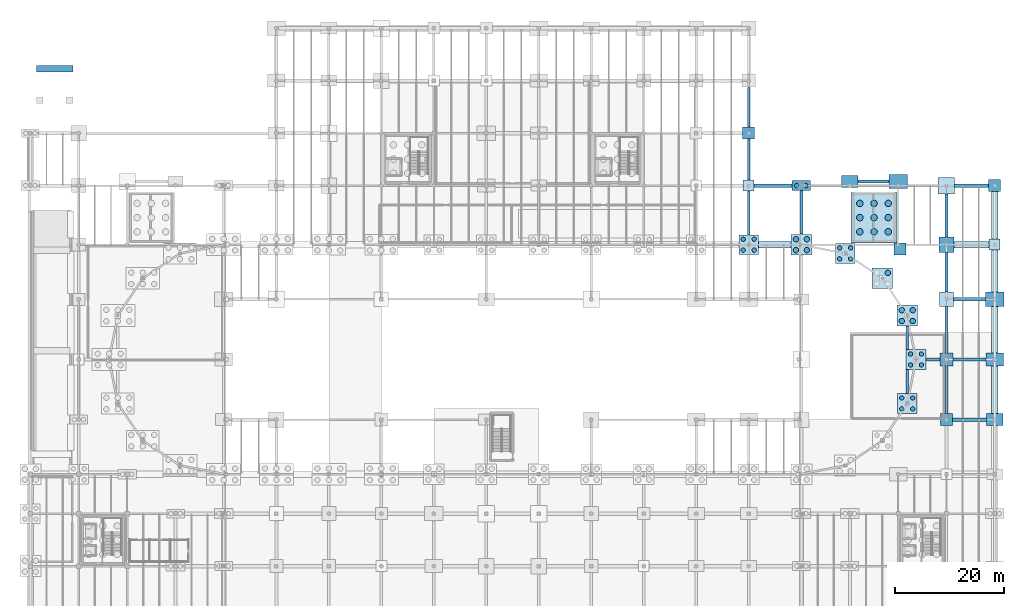
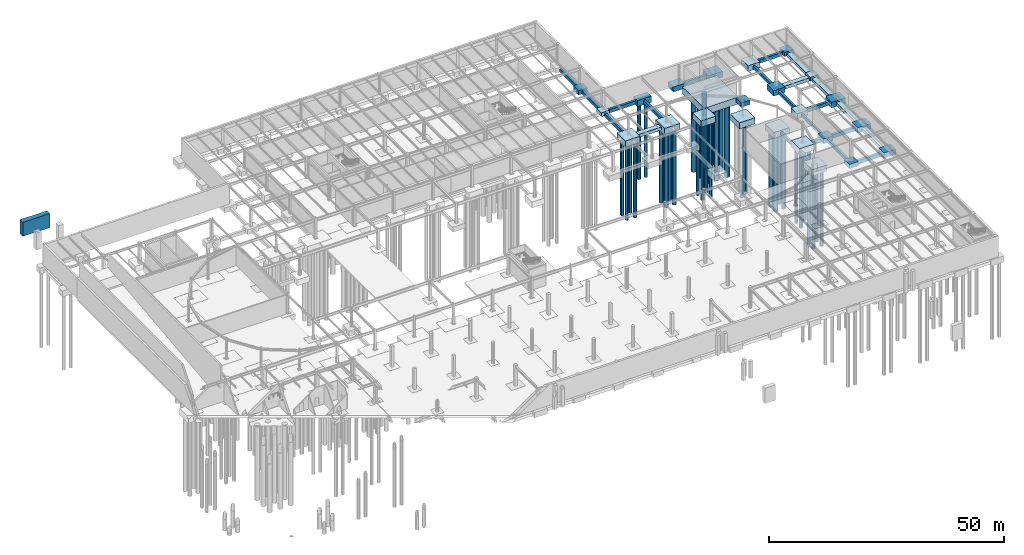
# One storey, part 9 of 50: 48 footings, 36 piles.
"""IFC4 building model written with IfcOpenShell, lengths in metres."""

from ifc_helpers import new_model, si_unit, direction, frame, origin, origin_2d, place, context, subcontext, project, spatial, polyline, rectangle, circle, outline, extrude, material, material_profile, profile_set, type_object, element, save


model = new_model("IFC4")

# Units and contexts
model_context = context("Model", 3, precision=1e-05, world=origin(), true_north=direction((0.0, 1.0)))
body_context = subcontext(model_context, "Body", "Model", "MODEL_VIEW")
ifc_project = project(units=[si_unit("LENGTHUNIT", "METRE"), si_unit("AREAUNIT", "SQUARE_METRE"), si_unit("VOLUMEUNIT", "CUBIC_METRE"), si_unit("PLANEANGLEUNIT", "RADIAN"), si_unit("MASSUNIT", "GRAM", prefix="KILO")], contexts=[model_context])

# Site, building, storey
site_placement = place(None, origin())
site = spatial("IfcSite", under=ifc_project, at=site_placement, CompositionType="ELEMENT")
building_placement = place(site_placement, origin())
building = spatial("IfcBuilding", under=site, at=building_placement, Name="Yeouljin Market Hall", CompositionType="ELEMENT")
storey_placement = place(building_placement, frame((0.0, 0.0, -5.39990234375)))
storey = spatial("IfcBuildingStorey", under=building, at=storey_placement, Name="B1", CompositionType="ELEMENT", Elevation=-5.39990234375)

# Footings
ifc_material_1 = material(Name="Concrete C35/45", Category="concrete")
ifc_material_profile_1 = material_profile(ifc_material_1, rectangle(XDim=0.5, YDim=0.800048828125, at=origin_2d()), Name="RC-500x800")
ifc_profile_set_1 = profile_set([ifc_material_profile_1], Name="Concrete C35/45")
footing_type_1 = type_object("IfcFootingType", Name="FootingBeam_500x800", PredefinedType="FOOTING_BEAM", material=ifc_profile_set_1)
footing_1_placement = place(storey_placement, frame((131.39990234375, 79.81005859375, -0.800048828125), z_axis=(0.0, 1.0, 0.0), x_axis=(-1.0, 0.0, 0.0)))
element("IfcFooting", 1, at=footing_1_placement, inside=storey, type_object=footing_type_1, Name="Foundation tie beam Y-239", PredefinedType="FOOTING_BEAM", context=body_context, shape_type="SweptSolid", body=[
    extrude(rectangle(XDim=0.5, YDim=0.800048828125, at=origin_2d()), origin(), (0.0, 0.0, 1.0), 7.97998046875),
])
footing_2_placement = place(storey_placement, frame((131.39990234375, 89.81005859375, -0.800048828125), z_axis=(0.0, 1.0, 0.0), x_axis=(-1.0, 0.0, 0.0)))
element("IfcFooting", 2, at=footing_2_placement, inside=storey, type_object=footing_type_1, Name="Foundation tie beam Y-240", PredefinedType="FOOTING_BEAM", context=body_context, shape_type="SweptSolid", body=[
    extrude(rectangle(XDim=0.5, YDim=0.800048828125, at=origin_2d()), origin(), (0.0, 0.0, 1.0), 7.47998046875),
])
footing_3_placement = place(storey_placement, frame((131.39990234375, 99.510009765625, -0.800048828125), z_axis=(0.0, 1.0, 0.0), x_axis=(-1.0, 0.0, 0.0)))
element("IfcFooting", 3, at=footing_3_placement, inside=storey, type_object=footing_type_1, Name="Foundation tie beam Y-241", PredefinedType="FOOTING_BEAM", context=body_context, shape_type="SweptSolid", body=[
    extrude(rectangle(XDim=0.5, YDim=0.800048828125, at=origin_2d()), origin(), (0.0, 0.0, 1.0), 7.280029296875),
])
footing_4_placement = place(storey_placement, frame((141.0400390625, 79.909912109375, -0.800048828125), z_axis=(0.0, 1.0, 0.0), x_axis=(-1.0, 0.0, 0.0)))
element("IfcFooting", 4, at=footing_4_placement, inside=storey, type_object=footing_type_1, Name="Foundation tie beam Y-251", PredefinedType="FOOTING_BEAM", context=body_context, shape_type="SweptSolid", body=[
    extrude(rectangle(XDim=0.5, YDim=0.800048828125, at=origin_2d()), origin(), (0.0, 0.0, 1.0), 7.97998046875),
])
footing_5_placement = place(storey_placement, frame((160.40087890625, 50.77392578125, -0.800048828125), z_axis=(0.0, 1.0, 0.0), x_axis=(-1.0, 0.0, 0.0)))
element("IfcFooting", 5, at=footing_5_placement, inside=storey, type_object=footing_type_1, Name="Foundation tie beam Y-256", PredefinedType="FOOTING_BEAM", context=body_context, shape_type="SweptSolid", body=[
    extrude(rectangle(XDim=0.5, YDim=0.800048828125, at=origin_2d()), origin(), (0.0, 0.0, 1.0), 4.416015625),
])
footing_6_placement = place(storey_placement, frame((160.40087890625, 58.81005859375, -0.800048828125), z_axis=(0.0, 1.0, 0.0), x_axis=(-1.0, 0.0, 0.0)))
element("IfcFooting", 6, at=footing_6_placement, inside=storey, type_object=footing_type_1, Name="Foundation tie beam Y-257", PredefinedType="FOOTING_BEAM", context=body_context, shape_type="SweptSolid", body=[
    extrude(rectangle(XDim=0.5, YDim=0.800048828125, at=origin_2d()), origin(), (0.0, 0.0, 1.0), 4.31591796875),
])
footing_7_placement = place(storey_placement, frame((167.570068359375, 47.110107421875, -0.800048828125), z_axis=(0.0, 1.0, 0.0), x_axis=(-1.0, 0.0, 0.0)))
element("IfcFooting", 7, at=footing_7_placement, inside=storey, type_object=footing_type_1, Name="Foundation tie beam Y-260", PredefinedType="FOOTING_BEAM", context=body_context, shape_type="SweptSolid", body=[
    extrude(rectangle(XDim=0.5, YDim=0.800048828125, at=origin_2d()), origin(), (0.0, 0.0, 1.0), 8.679931640625),
])
footing_8_placement = place(storey_placement, frame((167.570068359375, 58.2099609375, -0.800048828125), z_axis=(0.0, 1.0, 0.0), x_axis=(-1.0, 0.0, 0.0)))
element("IfcFooting", 8, at=footing_8_placement, inside=storey, type_object=footing_type_1, Name="Foundation tie beam Y-261", PredefinedType="FOOTING_BEAM", context=body_context, shape_type="SweptSolid", body=[
    extrude(rectangle(XDim=0.5, YDim=0.800048828125, at=origin_2d()), origin(), (0.0, 0.0, 1.0), 8.47998046875),
])
footing_9_placement = place(storey_placement, frame((167.570068359375, 69.31005859375, -0.800048828125), z_axis=(0.0, 1.0, 0.0), x_axis=(-1.0, 0.0, 0.0)))
element("IfcFooting", 9, at=footing_9_placement, inside=storey, type_object=footing_type_1, Name="Foundation tie beam Y-262", PredefinedType="FOOTING_BEAM", context=body_context, shape_type="SweptSolid", body=[
    extrude(rectangle(XDim=0.5, YDim=0.800048828125, at=origin_2d()), origin(), (0.0, 0.0, 1.0), 7.280029296875),
])
footing_10_placement = place(storey_placement, frame((167.570068359375, 79.409912109375, -0.800048828125), z_axis=(0.0, 1.0, 0.0), x_axis=(-1.0, 0.0, 0.0)))
element("IfcFooting", 10, at=footing_10_placement, inside=storey, type_object=footing_type_1, Name="Foundation tie beam Y-263", PredefinedType="FOOTING_BEAM", context=body_context, shape_type="SweptSolid", body=[
    extrude(rectangle(XDim=0.5, YDim=0.800048828125, at=origin_2d()), origin(), (0.0, 0.0, 1.0), 7.880126953125),
])
ifc_material_2 = material(Name="Concrete C35/45", Category="concrete")
ifc_material_profile_2 = material_profile(ifc_material_2, rectangle(XDim=0.60009765625, YDim=0.89990234375, at=origin_2d()), Name="RC-600x900")
ifc_profile_set_2 = profile_set([ifc_material_profile_2], Name="Concrete C35/45")
footing_type_2 = type_object("IfcFootingType", Name="FootingBeam_600x900", PredefinedType="FOOTING_BEAM", material=ifc_profile_set_2)
footing_11_placement = place(storey_placement, frame((168.679931640625, 46.0, -0.85009765625), z_axis=(1.0, 0.0, 0.0), x_axis=(0.0, 1.0, 0.0)))
element("IfcFooting", 11, at=footing_11_placement, inside=storey, type_object=footing_type_2, Name="Foundation tie beam X-085", PredefinedType="FOOTING_BEAM", context=body_context, shape_type="SweptSolid", body=[
    extrude(rectangle(XDim=0.60009765625, YDim=0.89990234375, at=origin_2d()), origin(), (0.0, 0.0, 1.0), 6.2099609375),
])
footing_12_placement = place(storey_placement, frame((163.81005859375, 57.0, -0.85009765625), z_axis=(1.0, 0.0, 0.0), x_axis=(0.0, 1.0, 0.0)))
element("IfcFooting", 12, at=footing_12_placement, inside=storey, type_object=footing_type_2, Name="Foundation tie beam X-087", PredefinedType="FOOTING_BEAM", context=body_context, shape_type="SweptSolid", body=[
    extrude(rectangle(XDim=0.60009765625, YDim=0.89990234375, at=origin_2d()), origin(), (0.0, 0.0, 1.0), 2.550048828125),
])
footing_13_placement = place(storey_placement, frame((168.780029296875, 57.0, -0.85009765625), z_axis=(1.0, 0.0, 0.0), x_axis=(0.0, 1.0, 0.0)))
element("IfcFooting", 13, at=footing_13_placement, inside=storey, type_object=footing_type_2, Name="Foundation tie beam X-088", PredefinedType="FOOTING_BEAM", context=body_context, shape_type="SweptSolid", body=[
    extrude(rectangle(XDim=0.60009765625, YDim=0.89990234375, at=origin_2d()), origin(), (0.0, 0.0, 1.0), 6.010009765625),
])
footing_14_placement = place(storey_placement, frame((168.8798828125, 68.0, -0.85009765625), z_axis=(1.0, 0.0, 0.0), x_axis=(0.0, 1.0, 0.0)))
element("IfcFooting", 14, at=footing_14_placement, inside=storey, type_object=footing_type_2, Name="Foundation tie beam X-092", PredefinedType="FOOTING_BEAM", context=body_context, shape_type="SweptSolid", body=[
    extrude(rectangle(XDim=0.60009765625, YDim=0.89990234375, at=origin_2d()), origin(), (0.0, 0.0, 1.0), 5.81005859375),
])
footing_15_placement = place(storey_placement, frame((132.409912109375, 88.800048828125, -0.85009765625), z_axis=(1.0, 0.0, 0.0), x_axis=(0.0, 1.0, 0.0)))
element("IfcFooting", 15, at=footing_15_placement, inside=storey, type_object=footing_type_2, Name="Foundation tie beam X-110", PredefinedType="FOOTING_BEAM", context=body_context, shape_type="SweptSolid", body=[
    extrude(rectangle(XDim=0.60009765625, YDim=0.89990234375, at=origin_2d()), origin(), (0.0, 0.0, 1.0), 6.920166015625),
])
footing_16_placement = place(storey_placement, frame((169.080078125, 88.800048828125, -0.85009765625), z_axis=(1.0, 0.0, 0.0), x_axis=(0.0, 1.0, 0.0)))
element("IfcFooting", 16, at=footing_16_placement, inside=storey, type_object=footing_type_2, Name="Foundation tie beam X-111", PredefinedType="FOOTING_BEAM", context=body_context, shape_type="SweptSolid", body=[
    extrude(rectangle(XDim=0.60009765625, YDim=0.89990234375, at=origin_2d()), origin(), (0.0, 0.0, 1.0), 6.2099609375),
])
footing_17_placement = place(storey_placement, frame((151.419921875, 89.550048828125, -0.85009765625), z_axis=(1.0, 0.0, 0.0), x_axis=(0.0, 1.0, 0.0)))
element("IfcFooting", 17, at=footing_17_placement, inside=storey, type_object=footing_type_2, Name="Foundation tie beam X-113", PredefinedType="FOOTING_BEAM", context=body_context, shape_type="SweptSolid", body=[
    extrude(rectangle(XDim=0.60009765625, YDim=0.89990234375, at=origin_2d()), origin(), (0.0, 0.0, 1.0), 5.610107421875),
])
ifc_material_3 = material(Name="Concrete C35/45", Category="concrete")
footing_type_3 = type_object("IfcFootingType", Name="PadFooting_2000x2000x1000", PredefinedType="PAD_FOOTING", material=ifc_material_3)
footing_18_placement = place(storey_placement, frame((0.0, 0.0, -1.0)))
element("IfcFooting", 18, at=footing_18_placement, inside=storey, type_object=footing_type_3, Name="Pile cap FPAD-091", PredefinedType="PAD_FOOTING", context=body_context, shape_type="SweptSolid", body=[
    extrude(outline(polyline([(130.39990234375, 87.800048828125), (132.39990234375, 87.800048828125), (132.39990234375, 89.800048828125), (130.39990234375, 89.800048828125), (130.39990234375, 87.800048828125)])), origin(), (0.0, 0.0, 1.0), 1.0),
])
footing_19_placement = place(storey_placement, frame((0.0, 0.0, -1.0)))
element("IfcFooting", 19, at=footing_19_placement, inside=storey, type_object=footing_type_3, Name="Pile cap FPAD-111", PredefinedType="PAD_FOOTING", context=body_context, shape_type="SweptSolid", body=[
    extrude(outline(polyline([(175.39990234375, 77.0), (177.39990234375, 77.0), (177.39990234375, 79.0), (175.39990234375, 79.0), (175.39990234375, 77.0)])), origin(), (0.0, 0.0, 1.0), 1.0),
])
ifc_material_4 = material(Name="Concrete C35/45", Category="concrete")
footing_type_4 = type_object("IfcFootingType", Name="PadFooting_2200x2200x1100", PredefinedType="PAD_FOOTING", material=ifc_material_4)
footing_20_placement = place(storey_placement, frame((0.0, 0.0, -1.10009765625)))
element("IfcFooting", 20, at=footing_20_placement, inside=storey, type_object=footing_type_4, Name="Pile cap FPAD-092", PredefinedType="PAD_FOOTING", context=body_context, shape_type="SweptSolid", body=[
    extrude(outline(polyline([(130.300048828125, 97.300048828125), (132.5, 97.300048828125), (132.5, 99.5), (130.300048828125, 99.5), (130.300048828125, 97.300048828125)])), origin(), (0.0, 0.0, 1.0), 1.10009765625),
])
footing_21_placement = place(storey_placement, frame((0.0, 0.0, -1.10009765625)))
element("IfcFooting", 21, at=footing_21_placement, inside=storey, type_object=footing_type_4, Name="Pile cap FPAD-102", PredefinedType="PAD_FOOTING", context=body_context, shape_type="SweptSolid", body=[
    extrude(outline(polyline([(166.469970703125, 44.89990234375), (168.669921875, 44.89990234375), (168.669921875, 47.10009765625), (166.469970703125, 47.10009765625), (166.469970703125, 44.89990234375)])), origin(), (0.0, 0.0, 1.0), 1.10009765625),
])
footing_22_placement = place(storey_placement, frame((0.0, 0.0, -1.10009765625)))
element("IfcFooting", 22, at=footing_22_placement, inside=storey, type_object=footing_type_4, Name="Pile cap FPAD-112", PredefinedType="PAD_FOOTING", context=body_context, shape_type="SweptSolid", body=[
    extrude(outline(polyline([(175.300048828125, 87.699951171875), (177.5, 87.699951171875), (177.5, 89.89990234375), (175.300048828125, 89.89990234375), (175.300048828125, 87.699951171875)])), origin(), (0.0, 0.0, 1.0), 1.10009765625),
])
footing_23_placement = place(storey_placement, frame((0.0, 0.0, -1.10009765625)))
element("IfcFooting", 23, at=footing_23_placement, inside=storey, type_object=footing_type_4, Name="Pile cap FPAD-C4-ADJ", PredefinedType="PAD_FOOTING", context=body_context, shape_type="SweptSolid", body=[
    extrude(outline(polyline([(157.949951171875, 76.10009765625), (160.14990234375, 76.10009765625), (160.14990234375, 78.300048828125), (157.949951171875, 78.300048828125), (157.949951171875, 76.10009765625)])), origin(), (0.0, 0.0, 1.0), 1.10009765625),
])
ifc_material_5 = material(Name="Concrete C35/45", Category="concrete")
footing_type_5 = type_object("IfcFootingType", Name="PadFooting_2400x2400x1200", PredefinedType="PAD_FOOTING", material=ifc_material_5)
footing_24_placement = place(storey_placement, frame((0.0, 0.0, -1.2001953125)))
element("IfcFooting", 24, at=footing_24_placement, inside=storey, type_object=footing_type_5, Name="Pile cap FPAD-103", PredefinedType="PAD_FOOTING", context=body_context, shape_type="SweptSolid", body=[
    extrude(outline(polyline([(166.3701171875, 55.800048828125), (168.77001953125, 55.800048828125), (168.77001953125, 58.199951171875), (166.3701171875, 58.199951171875), (166.3701171875, 55.800048828125)])), origin(), (0.0, 0.0, 1.0), 1.2001953125),
])
ifc_material_6 = material(Name="Concrete C35/45", Category="concrete")
footing_type_6 = type_object("IfcFootingType", Name="PadFooting_2600x2600x1300", PredefinedType="PAD_FOOTING", material=ifc_material_6)
footing_25_placement = place(storey_placement, frame((0.0, 0.0, -1.300048828125)))
element("IfcFooting", 25, at=footing_25_placement, inside=storey, type_object=footing_type_6, Name="Pile cap FPAD-104", PredefinedType="PAD_FOOTING", context=body_context, shape_type="SweptSolid", body=[
    extrude(outline(polyline([(166.27001953125, 66.699951171875), (168.8701171875, 66.699951171875), (168.8701171875, 69.300048828125), (166.27001953125, 69.300048828125), (166.27001953125, 66.699951171875)])), origin(), (0.0, 0.0, 1.0), 1.300048828125),
])
ifc_material_7 = material(Name="Concrete C35/45", Category="concrete")
footing_type_7 = type_object("IfcFootingType", Name="PadFooting_2800x2800x1400", PredefinedType="PAD_FOOTING", material=ifc_material_7)
footing_26_placement = place(storey_placement, frame((0.0, 0.0, -1.400146484375)))
element("IfcFooting", 26, at=footing_26_placement, inside=storey, type_object=footing_type_7, Name="Pile cap FPAD-105", PredefinedType="PAD_FOOTING", context=body_context, shape_type="SweptSolid", body=[
    extrude(outline(polyline([(166.169921875, 76.60009765625), (168.969970703125, 76.60009765625), (168.969970703125, 79.39990234375), (166.169921875, 79.39990234375), (166.169921875, 76.60009765625)])), origin(), (0.0, 0.0, 1.0), 1.400146484375),
])
ifc_material_8 = material(Name="Concrete C35/45", Category="concrete")
footing_type_8 = type_object("IfcFootingType", Name="PadFooting_3000x2200x1300", PredefinedType="PAD_FOOTING", material=ifc_material_8)
footing_27_placement = place(storey_placement, frame((0.0, 0.0, -1.300048828125)))
element("IfcFooting", 27, at=footing_27_placement, inside=storey, type_object=footing_type_8, Name="Pile cap FPAD-098", PredefinedType="PAD_FOOTING", context=body_context, shape_type="SweptSolid", body=[
    extrude(outline(polyline([(148.409912109375, 88.449951171875), (151.409912109375, 88.449951171875), (151.409912109375, 90.64990234375), (148.409912109375, 90.64990234375), (148.409912109375, 88.449951171875)])), origin(), (0.0, 0.0, 1.0), 1.300048828125),
])
footing_28_placement = place(storey_placement, frame((0.0, 0.0, -1.300048828125)))
element("IfcFooting", 28, at=footing_28_placement, inside=storey, type_object=footing_type_8, Name="Pile cap FPAD-108", PredefinedType="PAD_FOOTING", context=body_context, shape_type="SweptSolid", body=[
    extrude(outline(polyline([(174.89990234375, 44.89990234375), (177.89990234375, 44.89990234375), (177.89990234375, 47.10009765625), (174.89990234375, 47.10009765625), (174.89990234375, 44.89990234375)])), origin(), (0.0, 0.0, 1.0), 1.300048828125),
])
ifc_material_9 = material(Name="Concrete C35/45", Category="concrete")
footing_type_9 = type_object("IfcFootingType", Name="PadFooting_3000x3000x1500", PredefinedType="PAD_FOOTING", material=ifc_material_9)
footing_29_placement = place(storey_placement, frame((0.0, 0.0, -1.5)))
element("IfcFooting", 29, at=footing_29_placement, inside=storey, type_object=footing_type_9, Name="Pile cap FPAD-106", PredefinedType="PAD_FOOTING", context=body_context, shape_type="SweptSolid", body=[
    extrude(outline(polyline([(166.070068359375, 87.300048828125), (169.070068359375, 87.300048828125), (169.070068359375, 90.300048828125), (166.070068359375, 90.300048828125), (166.070068359375, 87.300048828125)])), origin(), (0.0, 0.0, 1.0), 1.5),
])
ifc_material_10 = material(Name="Concrete C35/45", Category="concrete")
footing_type_10 = type_object("IfcFootingType", Name="PadFooting_3200x2400x1400", PredefinedType="PAD_FOOTING", material=ifc_material_10)
footing_30_placement = place(storey_placement, frame((0.0, 0.0, -1.400146484375)))
element("IfcFooting", 30, at=footing_30_placement, inside=storey, type_object=footing_type_10, Name="Pile cap FPAD-109", PredefinedType="PAD_FOOTING", context=body_context, shape_type="SweptSolid", body=[
    extrude(outline(polyline([(174.800048828125, 55.800048828125), (178.0, 55.800048828125), (178.0, 58.199951171875), (174.800048828125, 58.199951171875), (174.800048828125, 55.800048828125)])), origin(), (0.0, 0.0, 1.0), 1.400146484375),
])
ifc_material_11 = material(Name="Concrete C35/45", Category="concrete")
footing_type_11 = type_object("IfcFootingType", Name="PadFooting_3400x2600x1500", PredefinedType="PAD_FOOTING", material=ifc_material_11)
footing_31_placement = place(storey_placement, frame((0.0, 0.0, -1.5)))
element("IfcFooting", 31, at=footing_31_placement, inside=storey, type_object=footing_type_11, Name="Pile cap FPAD-100", PredefinedType="PAD_FOOTING", context=body_context, shape_type="SweptSolid", body=[
    extrude(outline(polyline([(157.0400390625, 88.25), (160.43994140625, 88.25), (160.43994140625, 90.85009765625), (157.0400390625, 90.85009765625), (157.0400390625, 88.25)])), origin(), (0.0, 0.0, 1.0), 1.5),
])
footing_32_placement = place(storey_placement, frame((0.0, 0.0, -1.5)))
element("IfcFooting", 32, at=footing_32_placement, inside=storey, type_object=footing_type_11, Name="Pile cap FPAD-110", PredefinedType="PAD_FOOTING", context=body_context, shape_type="SweptSolid", body=[
    extrude(outline(polyline([(174.699951171875, 66.699951171875), (178.10009765625, 66.699951171875), (178.10009765625, 69.300048828125), (174.699951171875, 69.300048828125), (174.699951171875, 66.699951171875)])), origin(), (0.0, 0.0, 1.0), 1.5),
])
ifc_material_12 = material(Name="Concrete C35/45", Category="concrete")
footing_type_12 = type_object("IfcFootingType", Name="PierFooting_Apron_6650x1200x3650", PredefinedType="PAD_FOOTING", material=ifc_material_12)
footing_33_placement = place(storey_placement, origin())
element("IfcFooting", 33, at=footing_33_placement, inside=storey, type_object=footing_type_12, Name="Service apron ramp toe foundation", PredefinedType="PAD_FOOTING", context=body_context, shape_type="SweptSolid", body=[
    extrude(outline(polyline([(1.10009765625, 109.60009765625), (7.75, 109.60009765625), (7.75, 110.800048828125), (1.10009765625, 110.800048828125), (1.10009765625, 109.60009765625)])), origin(), (0.0, 0.0, 1.0), 3.64990234375),
])
ifc_material_13 = material(Name="Concrete C35/45", Category="concrete")
footing_type_13 = type_object("IfcFootingType", Name="PileCap_2P_3400x1800x1600", PredefinedType="PILE_CAP", material=ifc_material_13)
footing_34_placement = place(storey_placement, frame((0.0, 0.0, -1.60009765625)))
element("IfcFooting", 34, at=footing_34_placement, inside=storey, type_object=footing_type_13, Name="Pile cap FCAP-C168", PredefinedType="PILE_CAP", context=body_context, shape_type="SweptSolid", body=[
    extrude(outline(polyline([(139.340087890625, 87.89990234375), (142.739990234375, 87.89990234375), (142.739990234375, 89.699951171875), (139.340087890625, 89.699951171875), (139.340087890625, 87.89990234375)])), origin(), (0.0, 0.0, 1.0), 1.60009765625),
])
ifc_material_14 = material(Name="Concrete C35/45", Category="concrete")
footing_type_14 = type_object("IfcFootingType", Name="PileCap_4P_3600x3600x1600", PredefinedType="PILE_CAP", material=ifc_material_14)
footing_35_placement = place(storey_placement, frame((0.0, 0.0, -1.60009765625)))
element("IfcFooting", 35, at=footing_35_placement, inside=storey, type_object=footing_type_14, Name="Pile cap FCAP-C154", PredefinedType="PILE_CAP", context=body_context, shape_type="SweptSolid", body=[
    extrude(outline(polyline([(129.60009765625, 76.199951171875), (133.199951171875, 76.199951171875), (133.199951171875, 79.800048828125), (129.60009765625, 79.800048828125), (129.60009765625, 76.199951171875)])), origin(), (0.0, 0.0, 1.0), 1.60009765625),
])
footing_36_placement = place(storey_placement, frame((0.0, 0.0, -1.60009765625)))
element("IfcFooting", 36, at=footing_36_placement, inside=storey, type_object=footing_type_14, Name="Pile cap FCAP-C170", PredefinedType="PILE_CAP", context=body_context, shape_type="SweptSolid", body=[
    extrude(outline(polyline([(147.236083984375, 74.60107421875), (150.8359375, 74.60107421875), (150.8359375, 78.200927734375), (147.236083984375, 78.200927734375), (147.236083984375, 74.60107421875)])), origin(), (0.0, 0.0, 1.0), 1.60009765625),
])
footing_37_placement = place(storey_placement, frame((0.0, 0.0, -1.60009765625)))
element("IfcFooting", 37, at=footing_37_placement, inside=storey, type_object=footing_type_14, Name="Pile cap FCAP-C185", PredefinedType="PILE_CAP", context=body_context, shape_type="SweptSolid", body=[
    extrude(outline(polyline([(158.60107421875, 47.1640625), (162.200927734375, 47.1640625), (162.200927734375, 50.763916015625), (158.60107421875, 50.763916015625), (158.60107421875, 47.1640625)])), origin(), (0.0, 0.0, 1.0), 1.60009765625),
])
footing_38_placement = place(storey_placement, frame((0.0, 0.0, -1.60009765625)))
element("IfcFooting", 38, at=footing_38_placement, inside=storey, type_object=footing_type_14, Name="Pile cap FCAP-C187", PredefinedType="PILE_CAP", context=body_context, shape_type="SweptSolid", body=[
    extrude(outline(polyline([(160.199951171875, 55.199951171875), (163.800048828125, 55.199951171875), (163.800048828125, 58.800048828125), (160.199951171875, 58.800048828125), (160.199951171875, 55.199951171875)])), origin(), (0.0, 0.0, 1.0), 1.60009765625),
])
ifc_material_15 = material(Name="Concrete C35/45", Category="concrete")
footing_type_15 = type_object("IfcFootingType", Name="PileCap_4P_3800x3800x1600", PredefinedType="PILE_CAP", material=ifc_material_15)
footing_39_placement = place(storey_placement, frame((0.0, 0.0, -1.60009765625)))
element("IfcFooting", 39, at=footing_39_placement, inside=storey, type_object=footing_type_15, Name="Pile cap FCAP-C167", PredefinedType="PILE_CAP", context=body_context, shape_type="SweptSolid", body=[
    extrude(outline(polyline([(139.139892578125, 76.10009765625), (142.93994140625, 76.10009765625), (142.93994140625, 79.89990234375), (139.139892578125, 79.89990234375), (139.139892578125, 76.10009765625)])), origin(), (0.0, 0.0, 1.0), 1.60009765625),
])
footing_40_placement = place(storey_placement, frame((0.0, 0.0, -1.60009765625)))
element("IfcFooting", 40, at=footing_40_placement, inside=storey, type_object=footing_type_15, Name="Pile cap FCAP-C177", PredefinedType="PILE_CAP", context=body_context, shape_type="SweptSolid", body=[
    extrude(outline(polyline([(153.948974609375, 69.948974609375), (157.7490234375, 69.948974609375), (157.7490234375, 73.7490234375), (153.948974609375, 73.7490234375), (153.948974609375, 69.948974609375)])), origin(), (0.0, 0.0, 1.0), 1.60009765625),
])
footing_41_placement = place(storey_placement, frame((0.0, 0.0, -1.60009765625)))
element("IfcFooting", 41, at=footing_41_placement, inside=storey, type_object=footing_type_15, Name="Pile cap FCAP-C186", PredefinedType="PILE_CAP", context=body_context, shape_type="SweptSolid", body=[
    extrude(outline(polyline([(158.5009765625, 63.135986328125), (162.301025390625, 63.135986328125), (162.301025390625, 66.93603515625), (158.5009765625, 66.93603515625), (158.5009765625, 63.135986328125)])), origin(), (0.0, 0.0, 1.0), 1.60009765625),
])
ifc_material_16 = material(Name="Concrete C35/45", Category="concrete")
footing_type_16 = type_object("IfcFootingType", Name="PileCap_9P_8400x9200x1800", PredefinedType="PILE_CAP", material=ifc_material_16)
footing_42_placement = place(storey_placement, frame((0.0, 0.0, -1.800048828125)))
element("IfcFooting", 42, at=footing_42_placement, inside=storey, type_object=footing_type_16, Name="Core C4 foundation mat", PredefinedType="PILE_CAP", context=body_context, shape_type="SweptSolid", body=[
    extrude(outline(polyline([(150.125, 78.35009765625), (158.52490234375, 78.35009765625), (158.52490234375, 87.550048828125), (150.125, 87.550048828125), (150.125, 78.35009765625)])), origin(), (0.0, 0.0, 1.0), 1.800048828125),
])

# Piles
ifc_material_17 = material(Name="Concrete C35/45", Category="concrete")
ifc_material_profile_3 = material_profile(ifc_material_17, circle(Radius=0.5, at=origin_2d()), Name="PILE-D1000")
ifc_profile_set_3 = profile_set([ifc_material_profile_3], Name="Concrete C35/45")
pile_type_1 = type_object("IfcPileType", Name="Pile_PILE-D1000", PredefinedType="BORED", material=ifc_profile_set_3)
for number, where, z_axis, x_axis, name in (
    (43, (140.0400390625, 77.0, -1.5), (0.0, 0.0, -1.0), (1.0, 0.0, 0.0), "Bored pile 279"),
    (44, (140.0400390625, 79.0, -1.5), (0.0, 0.0, -1.0), (1.0, 0.0, 0.0), "Bored pile 280"),
    (45, (142.0400390625, 77.0, -1.5), (0.0, 0.0, -1.0), (1.0, 0.0, 0.0), "Bored pile 281"),
    (46, (142.0400390625, 79.0, -1.5), (0.0, 0.0, -1.0), (1.0, 0.0, 0.0), "Bored pile 282"),
    (47, (156.84912109375, 72.84912109375, -1.5), (0.0, 0.0, -1.0), (1.0, 0.0, 0.0), "Bored pile 308"),
    (48, (159.40087890625, 64.035888671875, -1.5), (0.0, 0.0, -1.0), (1.0, 0.0, 0.0), "Bored pile 317"),
    (49, (159.40087890625, 66.035888671875, -1.5), (0.0, 0.0, -1.0), (1.0, 0.0, 0.0), "Bored pile 318"),
    (50, (161.40087890625, 64.035888671875, -1.5), (0.0, 0.0, -1.0), (1.0, 0.0, 0.0), "Bored pile 319"),
    (51, (161.40087890625, 66.035888671875, -1.5), (0.0, 0.0, -1.0), (1.0, 0.0, 0.0), "Bored pile 320"),
):
    element("IfcPile", number, at=place(storey_placement, frame(where, z_axis=z_axis, x_axis=x_axis)), inside=storey, type_object=pile_type_1, Name=name, PredefinedType="BORED", context=body_context, shape_type="SweptSolid", body=[
        extrude(circle(Radius=0.5, at=origin_2d()), origin(), (0.0, 0.0, 1.0), 19.60009765625),
    ])
ifc_material_18 = material(Name="Concrete C35/45", Category="concrete")
ifc_material_profile_4 = material_profile(ifc_material_18, circle(Radius=0.60009765625, at=origin_2d()), Name="PILE-D1200")
ifc_profile_set_4 = profile_set([ifc_material_profile_4], Name="Concrete C35/45")
pile_type_2 = type_object("IfcPileType", Name="Pile_PILE-D1200", PredefinedType="BORED", material=ifc_profile_set_4)
for number, where, z_axis, x_axis, name in (
    (52, (151.72509765625, 80.35009765625, -1.7001953125), (0.0, 0.0, -1.0), (1.0, 0.0, 0.0), "Bored pile 028"),
    (53, (151.72509765625, 82.949951171875, -1.7001953125), (0.0, 0.0, -1.0), (1.0, 0.0, 0.0), "Bored pile 029"),
    (54, (151.72509765625, 85.550048828125, -1.7001953125), (0.0, 0.0, -1.0), (1.0, 0.0, 0.0), "Bored pile 030"),
    (55, (154.324951171875, 80.35009765625, -1.7001953125), (0.0, 0.0, -1.0), (1.0, 0.0, 0.0), "Bored pile 031"),
    (56, (154.324951171875, 82.949951171875, -1.7001953125), (0.0, 0.0, -1.0), (1.0, 0.0, 0.0), "Bored pile 032"),
    (57, (154.324951171875, 85.550048828125, -1.7001953125), (0.0, 0.0, -1.0), (1.0, 0.0, 0.0), "Bored pile 033"),
    (58, (156.925048828125, 80.35009765625, -1.7001953125), (0.0, 0.0, -1.0), (1.0, 0.0, 0.0), "Bored pile 034"),
    (59, (156.925048828125, 82.949951171875, -1.7001953125), (0.0, 0.0, -1.0), (1.0, 0.0, 0.0), "Bored pile 035"),
    (60, (156.925048828125, 85.550048828125, -1.7001953125), (0.0, 0.0, -1.0), (1.0, 0.0, 0.0), "Bored pile 036"),
):
    element("IfcPile", number, at=place(storey_placement, frame(where, z_axis=z_axis, x_axis=x_axis)), inside=storey, type_object=pile_type_2, Name=name, PredefinedType="BORED", context=body_context, shape_type="SweptSolid", body=[
        extrude(circle(Radius=0.60009765625, at=origin_2d()), origin(), (0.0, 0.0, 1.0), 19.39990234375),
    ])
ifc_material_19 = material(Name="Concrete C35/45", Category="concrete")
ifc_material_profile_5 = material_profile(ifc_material_19, circle(Radius=0.39990234375, at=origin_2d()), Name="PILE-D800")
ifc_profile_set_5 = profile_set([ifc_material_profile_5], Name="Concrete C35/45")
pile_type_3 = type_object("IfcPileType", Name="Pile_PILE-D800", PredefinedType="BORED", material=ifc_profile_set_5)
for number, where, z_axis, x_axis, name in (
    (61, (130.39990234375, 77.0, -1.5), (0.0, 0.0, -1.0), (1.0, 0.0, 0.0), "Bored pile 263"),
    (62, (130.39990234375, 79.0, -1.5), (0.0, 0.0, -1.0), (1.0, 0.0, 0.0), "Bored pile 264"),
    (63, (132.39990234375, 77.0, -1.5), (0.0, 0.0, -1.0), (1.0, 0.0, 0.0), "Bored pile 265"),
    (64, (132.39990234375, 79.0, -1.5), (0.0, 0.0, -1.0), (1.0, 0.0, 0.0), "Bored pile 266"),
    (65, (140.18994140625, 88.800048828125, -1.5), (0.0, 0.0, -1.0), (1.0, 0.0, 0.0), "Bored pile 283"),
    (66, (141.889892578125, 88.800048828125, -1.5), (0.0, 0.0, -1.0), (1.0, 0.0, 0.0), "Bored pile 284"),
    (67, (148.035888671875, 75.40087890625, -1.5), (0.0, 0.0, -1.0), (1.0, 0.0, 0.0), "Bored pile 289"),
    (68, (148.035888671875, 77.40087890625, -1.5), (0.0, 0.0, -1.0), (1.0, 0.0, 0.0), "Bored pile 290"),
    (69, (150.035888671875, 75.40087890625, -1.5), (0.0, 0.0, -1.0), (1.0, 0.0, 0.0), "Bored pile 291"),
    (70, (150.035888671875, 77.40087890625, -1.5), (0.0, 0.0, -1.0), (1.0, 0.0, 0.0), "Bored pile 292"),
    (71, (159.40087890625, 47.964111328125, -1.5), (0.0, 0.0, -1.0), (1.0, 0.0, 0.0), "Bored pile 313"),
    (72, (159.40087890625, 49.964111328125, -1.5), (0.0, 0.0, -1.0), (1.0, 0.0, 0.0), "Bored pile 314"),
    (73, (161.40087890625, 47.964111328125, -1.5), (0.0, 0.0, -1.0), (1.0, 0.0, 0.0), "Bored pile 315"),
    (74, (161.40087890625, 49.964111328125, -1.5), (0.0, 0.0, -1.0), (1.0, 0.0, 0.0), "Bored pile 316"),
    (75, (161.0, 56.0, -1.5), (0.0, 0.0, -1.0), (1.0, 0.0, 0.0), "Bored pile 321"),
    (76, (161.0, 58.0, -1.5), (0.0, 0.0, -1.0), (1.0, 0.0, 0.0), "Bored pile 322"),
    (77, (163.0, 56.0, -1.5), (0.0, 0.0, -1.0), (1.0, 0.0, 0.0), "Bored pile 323"),
    (78, (163.0, 58.0, -1.5), (0.0, 0.0, -1.0), (1.0, 0.0, 0.0), "Bored pile 324"),
):
    element("IfcPile", number, at=place(storey_placement, frame(where, z_axis=z_axis, x_axis=x_axis)), inside=storey, type_object=pile_type_3, Name=name, PredefinedType="BORED", context=body_context, shape_type="SweptSolid", body=[
        extrude(circle(Radius=0.39990234375, at=origin_2d()), origin(), (0.0, 0.0, 1.0), 19.60009765625),
    ])

# Footings
ifc_material_20 = material(Name="Concrete C35/45", Category="concrete")
ifc_material_profile_6 = material_profile(ifc_material_20, rectangle(XDim=1.199951171875, YDim=0.800048828125, at=origin_2d()), Name="SF-1200x800")
ifc_profile_set_6 = profile_set([ifc_material_profile_6], Name="Concrete C35/45")
footing_type_17 = type_object("IfcFootingType", Name="StripFooting_1200x800", PredefinedType="STRIP_FOOTING", material=ifc_profile_set_6)
footing_43_placement = place(storey_placement, frame((133.2099609375, 78.0, -0.800048828125), z_axis=(1.0, 0.0, 0.0), x_axis=(0.0, 1.0, 0.0)))
element("IfcFooting", 79, at=footing_43_placement, inside=storey, type_object=footing_type_17, Name="Foundation tie beam X-103", PredefinedType="STRIP_FOOTING", context=body_context, shape_type="SweptSolid", body=[
    extrude(rectangle(XDim=1.199951171875, YDim=0.800048828125, at=origin_2d()), origin(), (0.0, 0.0, 1.0), 5.919921875),
])
footing_44_placement = place(storey_placement, frame((168.97998046875, 78.0, -0.800048828125), z_axis=(1.0, 0.0, 0.0), x_axis=(0.0, 1.0, 0.0)))
element("IfcFooting", 80, at=footing_44_placement, inside=storey, type_object=footing_type_17, Name="Foundation tie beam X-104", PredefinedType="STRIP_FOOTING", context=body_context, shape_type="SweptSolid", body=[
    extrude(rectangle(XDim=1.199951171875, YDim=0.800048828125, at=origin_2d()), origin(), (0.0, 0.0, 1.0), 6.409912109375),
])
footing_45_placement = place(storey_placement, frame((176.39990234375, 47.110107421875, -0.800048828125), z_axis=(0.0, 1.0, 0.0), x_axis=(-1.0, 0.0, 0.0)))
element("IfcFooting", 81, at=footing_45_placement, inside=storey, type_object=footing_type_17, Name="Foundation tie beam Y-269", PredefinedType="STRIP_FOOTING", context=body_context, shape_type="SweptSolid", body=[
    extrude(rectangle(XDim=1.199951171875, YDim=0.800048828125, at=origin_2d()), origin(), (0.0, 0.0, 1.0), 8.679931640625),
])
footing_46_placement = place(storey_placement, frame((176.39990234375, 58.2099609375, -0.800048828125), z_axis=(0.0, 1.0, 0.0), x_axis=(-1.0, 0.0, 0.0)))
element("IfcFooting", 82, at=footing_46_placement, inside=storey, type_object=footing_type_17, Name="Foundation tie beam Y-270", PredefinedType="STRIP_FOOTING", context=body_context, shape_type="SweptSolid", body=[
    extrude(rectangle(XDim=1.199951171875, YDim=0.800048828125, at=origin_2d()), origin(), (0.0, 0.0, 1.0), 8.47998046875),
])
footing_47_placement = place(storey_placement, frame((176.39990234375, 69.31005859375, -0.800048828125), z_axis=(0.0, 1.0, 0.0), x_axis=(-1.0, 0.0, 0.0)))
element("IfcFooting", 83, at=footing_47_placement, inside=storey, type_object=footing_type_17, Name="Foundation tie beam Y-271", PredefinedType="STRIP_FOOTING", context=body_context, shape_type="SweptSolid", body=[
    extrude(rectangle(XDim=1.199951171875, YDim=0.800048828125, at=origin_2d()), origin(), (0.0, 0.0, 1.0), 7.679931640625),
])
footing_48_placement = place(storey_placement, frame((176.39990234375, 79.010009765625, -0.800048828125), z_axis=(0.0, 1.0, 0.0), x_axis=(-1.0, 0.0, 0.0)))
element("IfcFooting", 84, at=footing_48_placement, inside=storey, type_object=footing_type_17, Name="Foundation tie beam Y-272", PredefinedType="STRIP_FOOTING", context=body_context, shape_type="SweptSolid", body=[
    extrude(rectangle(XDim=1.199951171875, YDim=0.800048828125, at=origin_2d()), origin(), (0.0, 0.0, 1.0), 8.679931640625),
])

save(model, "model.ifc")
